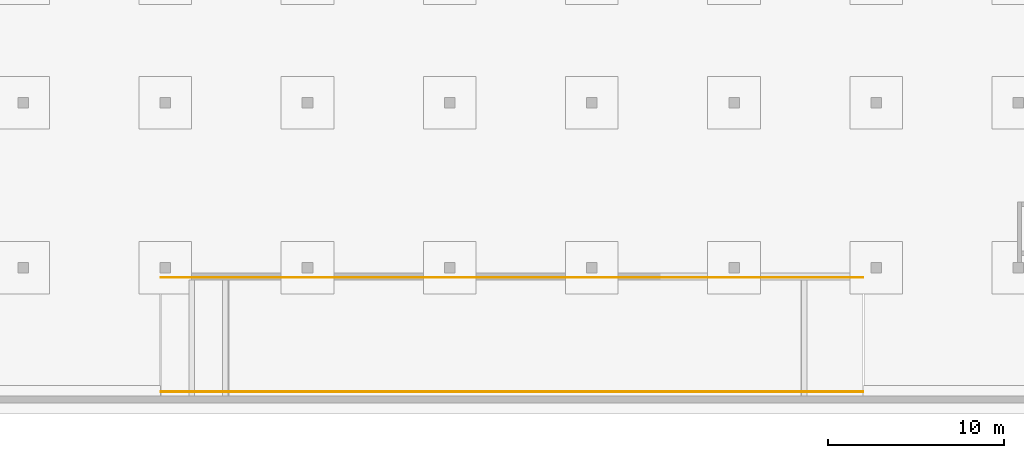
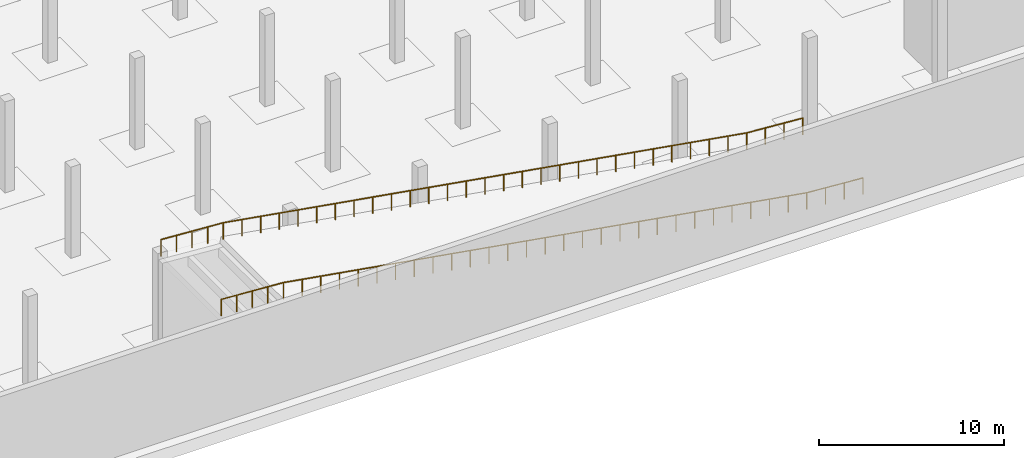
# One storey, part 36 of 39: 2 railings.
"""IFC4 building model written with IfcOpenShell, lengths in metres."""

from ifc_helpers import new_model, si_unit, direction, frame, origin, origin_2d, place, context, subcontext, project, spatial, circle, extrude, material, type_object, element, save


model = new_model("IFC4")

# Units and contexts
model_context = context("Model", 3, precision=1e-05, world=origin(), true_north=direction((0.0, 1.0)))
body_context = subcontext(model_context, "Body", "Model", "MODEL_VIEW")
ifc_project = project(units=[si_unit("LENGTHUNIT", "METRE"), si_unit("AREAUNIT", "SQUARE_METRE"), si_unit("VOLUMEUNIT", "CUBIC_METRE"), si_unit("PLANEANGLEUNIT", "RADIAN"), si_unit("MASSUNIT", "GRAM", prefix="KILO")], contexts=[model_context])

# Site, building, storey
site_placement = place(None, origin())
site = spatial("IfcSite", under=ifc_project, at=site_placement, CompositionType="ELEMENT")
building_placement = place(site_placement, origin())
building = spatial("IfcBuilding", under=site, at=building_placement, Name="Tamorin Gate", CompositionType="ELEMENT")
storey_placement = place(building_placement, frame((0.0, 0.0, -12.0)))
storey = spatial("IfcBuildingStorey", under=building, at=storey_placement, Name="B2", CompositionType="ELEMENT", Elevation=-12.0)

# Railings
ifc_material = material(Name="Steel, galvanised", Category="steel")
railing_type = type_object("IfcRailingType", Name="Steel guard 1100", PredefinedType="GUARDRAIL", material=ifc_material)
railing_1_placement = place(storey_placement, frame((170.64990234375, 12.75, 6.0)))
element("IfcRailing", 1, at=railing_1_placement, inside=storey, type_object=railing_type, Name="Ramp edge guard", PredefinedType="GUARDRAIL", context=body_context, shape_type="SweptSolid", body=[
    extrude(circle(Radius=0.02392578125, at=origin_2d()), frame((0.0, 0.0, 1.076171875), z_axis=(0.997930771081, 0.0, -0.064297559277), x_axis=(0.0, 1.0, 0.0)), (0.0, 0.0, 1.0), 3.88818359375),
    extrude(circle(Radius=0.02392578125, at=origin_2d()), frame((3.880126953125, 0.0, 0.826171875), z_axis=(0.986081595144, 0.0, -0.166262105481), x_axis=(0.0, 1.0, 0.0)), (0.0, 0.0, 1.0), 33.080322265625),
    extrude(circle(Radius=0.02392578125, at=origin_2d()), frame((36.5, 0.0, -4.673828125), z_axis=(0.997458699831, 0.0, -0.071247049988), x_axis=(0.0, 1.0, 0.0)), (0.0, 0.0, 1.0), 3.509033203125),
    extrude(circle(Radius=0.02099609375, at=origin_2d()), origin(), (0.0, 0.0, 1.0), 1.052001953125),
    extrude(circle(Radius=0.02099609375, at=origin_2d()), frame((0.969970703125, 0.0, -0.0625)), (0.0, 0.0, 1.0), 1.052001953125),
    extrude(circle(Radius=0.02099609375, at=origin_2d()), frame((1.93994140625, 0.0, -0.125)), (0.0, 0.0, 1.0), 1.052001953125),
    extrude(circle(Radius=0.02099609375, at=origin_2d()), frame((2.91015625, 0.0, -0.1875)), (0.0, 0.0, 1.0), 1.052001953125),
    extrude(circle(Radius=0.02099609375, at=origin_2d()), frame((3.880126953125, 0.0, -0.25)), (0.0, 0.0, 1.0), 1.052001953125),
    extrude(circle(Radius=0.02099609375, at=origin_2d()), frame((5.045166015625, 0.0, -0.446533203125)), (0.0, 0.0, 1.0), 1.052001953125),
    extrude(circle(Radius=0.02099609375, at=origin_2d()), frame((6.210205078125, 0.0, -0.642822265625)), (0.0, 0.0, 1.0), 1.052001953125),
    extrude(circle(Radius=0.02099609375, at=origin_2d()), frame((7.375, 0.0, -0.83935546875)), (0.0, 0.0, 1.0), 1.052001953125),
    extrude(circle(Radius=0.02099609375, at=origin_2d()), frame((8.5400390625, 0.0, -1.03564453125)), (0.0, 0.0, 1.0), 1.052001953125),
    extrude(circle(Radius=0.02099609375, at=origin_2d()), frame((9.705078125, 0.0, -1.232177734375)), (0.0, 0.0, 1.0), 1.052001953125),
    extrude(circle(Radius=0.02099609375, at=origin_2d()), frame((10.8701171875, 0.0, -1.428466796875)), (0.0, 0.0, 1.0), 1.052001953125),
    extrude(circle(Radius=0.02099609375, at=origin_2d()), frame((12.03515625, 0.0, -1.625)), (0.0, 0.0, 1.0), 1.052001953125),
    extrude(circle(Radius=0.02099609375, at=origin_2d()), frame((13.2001953125, 0.0, -1.821533203125)), (0.0, 0.0, 1.0), 1.052001953125),
    extrude(circle(Radius=0.02099609375, at=origin_2d()), frame((14.364990234375, 0.0, -2.017822265625)), (0.0, 0.0, 1.0), 1.052001953125),
    extrude(circle(Radius=0.02099609375, at=origin_2d()), frame((15.530029296875, 0.0, -2.21435546875)), (0.0, 0.0, 1.0), 1.052001953125),
    extrude(circle(Radius=0.02099609375, at=origin_2d()), frame((16.695068359375, 0.0, -2.41064453125)), (0.0, 0.0, 1.0), 1.052001953125),
    extrude(circle(Radius=0.02099609375, at=origin_2d()), frame((17.860107421875, 0.0, -2.607177734375)), (0.0, 0.0, 1.0), 1.052001953125),
    extrude(circle(Radius=0.02099609375, at=origin_2d()), frame((19.025146484375, 0.0, -2.803466796875)), (0.0, 0.0, 1.0), 1.052001953125),
    extrude(circle(Radius=0.02099609375, at=origin_2d()), frame((20.18994140625, 0.0, -3.0)), (0.0, 0.0, 1.0), 1.052001953125),
    extrude(circle(Radius=0.02099609375, at=origin_2d()), frame((21.35498046875, 0.0, -3.196533203125)), (0.0, 0.0, 1.0), 1.052001953125),
    extrude(circle(Radius=0.02099609375, at=origin_2d()), frame((22.52001953125, 0.0, -3.392822265625)), (0.0, 0.0, 1.0), 1.052001953125),
    extrude(circle(Radius=0.02099609375, at=origin_2d()), frame((23.68505859375, 0.0, -3.58935546875)), (0.0, 0.0, 1.0), 1.052001953125),
    extrude(circle(Radius=0.02099609375, at=origin_2d()), frame((24.85009765625, 0.0, -3.78564453125)), (0.0, 0.0, 1.0), 1.052001953125),
    extrude(circle(Radius=0.02099609375, at=origin_2d()), frame((26.01513671875, 0.0, -3.982177734375)), (0.0, 0.0, 1.0), 1.052001953125),
    extrude(circle(Radius=0.02099609375, at=origin_2d()), frame((27.179931640625, 0.0, -4.178466796875)), (0.0, 0.0, 1.0), 1.052001953125),
    extrude(circle(Radius=0.02099609375, at=origin_2d()), frame((28.344970703125, 0.0, -4.375)), (0.0, 0.0, 1.0), 1.052001953125),
    extrude(circle(Radius=0.02099609375, at=origin_2d()), frame((29.510009765625, 0.0, -4.571533203125)), (0.0, 0.0, 1.0), 1.052001953125),
    extrude(circle(Radius=0.02099609375, at=origin_2d()), frame((30.675048828125, 0.0, -4.767822265625)), (0.0, 0.0, 1.0), 1.052001953125),
    extrude(circle(Radius=0.02099609375, at=origin_2d()), frame((31.840087890625, 0.0, -4.96435546875)), (0.0, 0.0, 1.0), 1.052001953125),
    extrude(circle(Radius=0.02099609375, at=origin_2d()), frame((33.005126953125, 0.0, -5.16064453125)), (0.0, 0.0, 1.0), 1.052001953125),
    extrude(circle(Radius=0.02099609375, at=origin_2d()), frame((34.169921875, 0.0, -5.357177734375)), (0.0, 0.0, 1.0), 1.052001953125),
    extrude(circle(Radius=0.02099609375, at=origin_2d()), frame((35.3349609375, 0.0, -5.553466796875)), (0.0, 0.0, 1.0), 1.052001953125),
    extrude(circle(Radius=0.02099609375, at=origin_2d()), frame((36.5, 0.0, -5.75)), (0.0, 0.0, 1.0), 1.052001953125),
    extrude(circle(Radius=0.02099609375, at=origin_2d()), frame((37.666748046875, 0.0, -5.833251953125)), (0.0, 0.0, 1.0), 1.052001953125),
    extrude(circle(Radius=0.02099609375, at=origin_2d()), frame((38.833251953125, 0.0, -5.916748046875)), (0.0, 0.0, 1.0), 1.052001953125),
    extrude(circle(Radius=0.02099609375, at=origin_2d()), frame((40.0, 0.0, -6.0)), (0.0, 0.0, 1.0), 1.052001953125),
])
railing_2_placement = place(storey_placement, frame((170.64990234375, 6.25, 6.0)))
element("IfcRailing", 2, at=railing_2_placement, inside=storey, type_object=railing_type, Name="Ramp edge guard", PredefinedType="GUARDRAIL", context=body_context, shape_type="SweptSolid", body=[
    extrude(circle(Radius=0.02392578125, at=origin_2d()), frame((0.0, 0.0, 1.076171875), z_axis=(0.997930771081, 0.0, -0.064297559277), x_axis=(0.0, 1.0, 0.0)), (0.0, 0.0, 1.0), 3.88818359375),
    extrude(circle(Radius=0.02392578125, at=origin_2d()), frame((3.880126953125, 0.0, 0.826171875), z_axis=(0.986081595144, 0.0, -0.166262105481), x_axis=(0.0, 1.0, 0.0)), (0.0, 0.0, 1.0), 33.080322265625),
    extrude(circle(Radius=0.02392578125, at=origin_2d()), frame((36.5, 0.0, -4.673828125), z_axis=(0.997458699831, 0.0, -0.071247049988), x_axis=(0.0, 1.0, 0.0)), (0.0, 0.0, 1.0), 3.509033203125),
    extrude(circle(Radius=0.02099609375, at=origin_2d()), origin(), (0.0, 0.0, 1.0), 1.052001953125),
    extrude(circle(Radius=0.02099609375, at=origin_2d()), frame((0.969970703125, 0.0, -0.0625)), (0.0, 0.0, 1.0), 1.052001953125),
    extrude(circle(Radius=0.02099609375, at=origin_2d()), frame((1.93994140625, 0.0, -0.125)), (0.0, 0.0, 1.0), 1.052001953125),
    extrude(circle(Radius=0.02099609375, at=origin_2d()), frame((2.91015625, 0.0, -0.1875)), (0.0, 0.0, 1.0), 1.052001953125),
    extrude(circle(Radius=0.02099609375, at=origin_2d()), frame((3.880126953125, 0.0, -0.25)), (0.0, 0.0, 1.0), 1.052001953125),
    extrude(circle(Radius=0.02099609375, at=origin_2d()), frame((5.045166015625, 0.0, -0.446533203125)), (0.0, 0.0, 1.0), 1.052001953125),
    extrude(circle(Radius=0.02099609375, at=origin_2d()), frame((6.210205078125, 0.0, -0.642822265625)), (0.0, 0.0, 1.0), 1.052001953125),
    extrude(circle(Radius=0.02099609375, at=origin_2d()), frame((7.375, 0.0, -0.83935546875)), (0.0, 0.0, 1.0), 1.052001953125),
    extrude(circle(Radius=0.02099609375, at=origin_2d()), frame((8.5400390625, 0.0, -1.03564453125)), (0.0, 0.0, 1.0), 1.052001953125),
    extrude(circle(Radius=0.02099609375, at=origin_2d()), frame((9.705078125, 0.0, -1.232177734375)), (0.0, 0.0, 1.0), 1.052001953125),
    extrude(circle(Radius=0.02099609375, at=origin_2d()), frame((10.8701171875, 0.0, -1.428466796875)), (0.0, 0.0, 1.0), 1.052001953125),
    extrude(circle(Radius=0.02099609375, at=origin_2d()), frame((12.03515625, 0.0, -1.625)), (0.0, 0.0, 1.0), 1.052001953125),
    extrude(circle(Radius=0.02099609375, at=origin_2d()), frame((13.2001953125, 0.0, -1.821533203125)), (0.0, 0.0, 1.0), 1.052001953125),
    extrude(circle(Radius=0.02099609375, at=origin_2d()), frame((14.364990234375, 0.0, -2.017822265625)), (0.0, 0.0, 1.0), 1.052001953125),
    extrude(circle(Radius=0.02099609375, at=origin_2d()), frame((15.530029296875, 0.0, -2.21435546875)), (0.0, 0.0, 1.0), 1.052001953125),
    extrude(circle(Radius=0.02099609375, at=origin_2d()), frame((16.695068359375, 0.0, -2.41064453125)), (0.0, 0.0, 1.0), 1.052001953125),
    extrude(circle(Radius=0.02099609375, at=origin_2d()), frame((17.860107421875, 0.0, -2.607177734375)), (0.0, 0.0, 1.0), 1.052001953125),
    extrude(circle(Radius=0.02099609375, at=origin_2d()), frame((19.025146484375, 0.0, -2.803466796875)), (0.0, 0.0, 1.0), 1.052001953125),
    extrude(circle(Radius=0.02099609375, at=origin_2d()), frame((20.18994140625, 0.0, -3.0)), (0.0, 0.0, 1.0), 1.052001953125),
    extrude(circle(Radius=0.02099609375, at=origin_2d()), frame((21.35498046875, 0.0, -3.196533203125)), (0.0, 0.0, 1.0), 1.052001953125),
    extrude(circle(Radius=0.02099609375, at=origin_2d()), frame((22.52001953125, 0.0, -3.392822265625)), (0.0, 0.0, 1.0), 1.052001953125),
    extrude(circle(Radius=0.02099609375, at=origin_2d()), frame((23.68505859375, 0.0, -3.58935546875)), (0.0, 0.0, 1.0), 1.052001953125),
    extrude(circle(Radius=0.02099609375, at=origin_2d()), frame((24.85009765625, 0.0, -3.78564453125)), (0.0, 0.0, 1.0), 1.052001953125),
    extrude(circle(Radius=0.02099609375, at=origin_2d()), frame((26.01513671875, 0.0, -3.982177734375)), (0.0, 0.0, 1.0), 1.052001953125),
    extrude(circle(Radius=0.02099609375, at=origin_2d()), frame((27.179931640625, 0.0, -4.178466796875)), (0.0, 0.0, 1.0), 1.052001953125),
    extrude(circle(Radius=0.02099609375, at=origin_2d()), frame((28.344970703125, 0.0, -4.375)), (0.0, 0.0, 1.0), 1.052001953125),
    extrude(circle(Radius=0.02099609375, at=origin_2d()), frame((29.510009765625, 0.0, -4.571533203125)), (0.0, 0.0, 1.0), 1.052001953125),
    extrude(circle(Radius=0.02099609375, at=origin_2d()), frame((30.675048828125, 0.0, -4.767822265625)), (0.0, 0.0, 1.0), 1.052001953125),
    extrude(circle(Radius=0.02099609375, at=origin_2d()), frame((31.840087890625, 0.0, -4.96435546875)), (0.0, 0.0, 1.0), 1.052001953125),
    extrude(circle(Radius=0.02099609375, at=origin_2d()), frame((33.005126953125, 0.0, -5.16064453125)), (0.0, 0.0, 1.0), 1.052001953125),
    extrude(circle(Radius=0.02099609375, at=origin_2d()), frame((34.169921875, 0.0, -5.357177734375)), (0.0, 0.0, 1.0), 1.052001953125),
    extrude(circle(Radius=0.02099609375, at=origin_2d()), frame((35.3349609375, 0.0, -5.553466796875)), (0.0, 0.0, 1.0), 1.052001953125),
    extrude(circle(Radius=0.02099609375, at=origin_2d()), frame((36.5, 0.0, -5.75)), (0.0, 0.0, 1.0), 1.052001953125),
    extrude(circle(Radius=0.02099609375, at=origin_2d()), frame((37.666748046875, 0.0, -5.833251953125)), (0.0, 0.0, 1.0), 1.052001953125),
    extrude(circle(Radius=0.02099609375, at=origin_2d()), frame((38.833251953125, 0.0, -5.916748046875)), (0.0, 0.0, 1.0), 1.052001953125),
    extrude(circle(Radius=0.02099609375, at=origin_2d()), frame((40.0, 0.0, -6.0)), (0.0, 0.0, 1.0), 1.052001953125),
])

save(model, "model.ifc")
